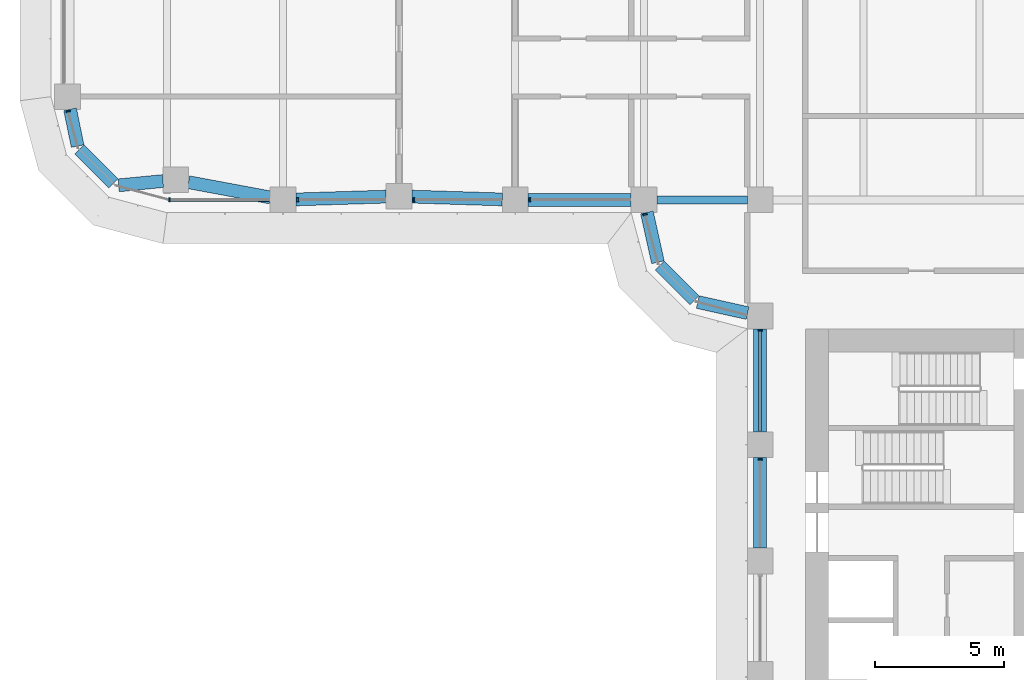
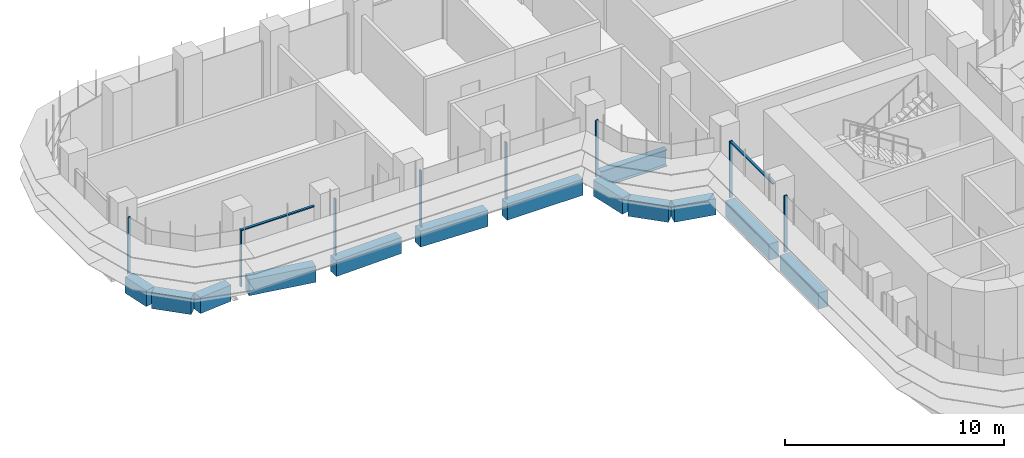
# One storey, part 3 of 23: 13 beams, 10 members, 4 elements without a shape of their own.
"""IFC4 building model written with IfcOpenShell, lengths in metres."""

from ifc_helpers import new_model, si_unit, direction, frame, origin, origin_2d, place, context, subcontext, project, spatial, polyline, rectangle, i_section, outline, extrude, source, transform, mapped, material, material_profile, profile_set, type_object, element, aggregate, save


model = new_model("IFC4")

# Units and contexts
model_context = context("Model", 3, precision=1e-05, world=origin(), true_north=direction((0.0, 1.0)))
body_context = subcontext(model_context, "Body", "Model", "MODEL_VIEW")
ifc_project = project(units=[si_unit("LENGTHUNIT", "METRE"), si_unit("AREAUNIT", "SQUARE_METRE"), si_unit("VOLUMEUNIT", "CUBIC_METRE"), si_unit("PLANEANGLEUNIT", "RADIAN"), si_unit("MASSUNIT", "GRAM", prefix="KILO")], contexts=[model_context])

# Site, building, storey
site_placement = place(None, origin())
site = spatial("IfcSite", under=ifc_project, at=site_placement, CompositionType="ELEMENT")
building_placement = place(site_placement, origin())
building = spatial("IfcBuilding", under=site, at=building_placement, Name="Zarbagh Exchange Tower", CompositionType="ELEMENT")
storey_placement = place(building_placement, frame((0.0, 0.0, 39.60009765625)))
storey = spatial("IfcBuildingStorey", under=building, at=storey_placement, Name="L08", CompositionType="ELEMENT", Elevation=39.60009765625)

# Beams
ifc_material_1 = material(Name="Steel ASTM A992 Gr 50", Category="steel")
ifc_material_profile_1 = material_profile(ifc_material_1, i_section(OverallWidth=0.3046875, OverallDepth=0.91943359375, WebThickness=0.017333984375, FlangeThickness=0.02783203125, at=origin_2d()), Name="W36X170")
ifc_profile_set_1 = profile_set([ifc_material_profile_1], Name="Steel ASTM A992 Gr 50")
beam_type_1 = type_object("IfcBeamType", Name="Floor girder W36X170", PredefinedType="BEAM", material=ifc_profile_set_1)
beam_1_placement = place(storey_placement, frame((-10.25, -6.25, -0.60986328125), z_axis=(1.0, 0.0, 0.0), x_axis=(0.0, 1.0, 0.0)))
element("IfcBeam", 1, at=beam_1_placement, inside=storey, type_object=beam_type_1, Name="Steel girder", PredefinedType="BEAM", context=body_context, shape_type="SweptSolid", body=[
    extrude(i_section(OverallWidth=0.3046875, OverallDepth=0.91943359375, WebThickness=0.017333984375, FlangeThickness=0.02783203125, at=origin_2d()), origin(), (0.0, 0.0, 1.0), 3.5),
])
ifc_material_2 = material(Name="Concrete C60/75", Category="concrete")
ifc_material_profile_2 = material_profile(ifc_material_2, rectangle(XDim=0.5, YDim=0.89990234375, at=origin_2d()), Name="RC spandrel beam 500 x 900 C60/75")
ifc_profile_set_2 = profile_set([ifc_material_profile_2], Name="Concrete C60/75")
beam_type_2 = type_object("IfcBeamType", Name="RC spandrel beam 500 x 900 C60/75", PredefinedType="SPANDREL", material=ifc_profile_set_2)
beam_2_placement = place(storey_placement, frame((-6.25, -19.75, -0.60009765625), z_axis=(0.0, 1.0, 0.0), x_axis=(-1.0, 0.0, 0.0)))
element("IfcBeam", 2, at=beam_2_placement, inside=storey, type_object=beam_type_2, Name="RC spandrel beam", PredefinedType="SPANDREL", context=body_context, shape_type="SweptSolid", body=[
    extrude(rectangle(XDim=0.5, YDim=0.89990234375, at=origin_2d()), origin(), (0.0, 0.0, 1.0), 3.5),
])
beam_3_placement = place(storey_placement, frame((-6.25, -15.25, -0.60009765625), z_axis=(0.0, 1.0, 0.0), x_axis=(-1.0, 0.0, 0.0)))
element("IfcBeam", 3, at=beam_3_placement, inside=storey, type_object=beam_type_2, Name="RC spandrel beam", PredefinedType="SPANDREL", context=body_context, shape_type="SweptSolid", body=[
    extrude(rectangle(XDim=0.5, YDim=0.89990234375, at=origin_2d()), origin(), (0.0, 0.0, 1.0), 4.0),
])
beam_4_placement = place(storey_placement, frame((-6.73828125, -10.64208984375, -0.60009765625), z_axis=(-0.976375426825, 0.216081063242, 0.0), x_axis=(-0.216081063242, -0.976375426825, 0.0)))
element("IfcBeam", 4, at=beam_4_placement, inside=storey, type_object=beam_type_2, Name="RC spandrel beam", PredefinedType="SPANDREL", context=body_context, shape_type="SweptSolid", body=[
    extrude(rectangle(XDim=0.5, YDim=0.89990234375, at=origin_2d()), origin(), (0.0, 0.0, 1.0), 1.978271484375),
])
beam_5_placement = place(storey_placement, frame((-8.792724609375, -10.147216796875, -0.60009765625), z_axis=(-0.707106781187, 0.707106781187, 0.0), x_axis=(-0.707106781187, -0.707106781187, 0.0)))
element("IfcBeam", 5, at=beam_5_placement, inside=storey, type_object=beam_type_2, Name="RC spandrel beam", PredefinedType="SPANDREL", context=body_context, shape_type="SweptSolid", body=[
    extrude(rectangle(XDim=0.5, YDim=0.89990234375, at=origin_2d()), origin(), (0.0, 0.0, 1.0), 1.91552734375),
])
beam_6_placement = place(storey_placement, frame((-10.214599609375, -8.669921875, -0.60009765625), z_axis=(-0.216081063242, 0.976375426825, 0.0), x_axis=(-0.976375426825, -0.216081063242, 0.0)))
element("IfcBeam", 6, at=beam_6_placement, inside=storey, type_object=beam_type_2, Name="RC spandrel beam", PredefinedType="SPANDREL", context=body_context, shape_type="SweptSolid", body=[
    extrude(rectangle(XDim=0.5, YDim=0.89990234375, at=origin_2d()), origin(), (0.0, 0.0, 1.0), 1.978271484375),
])
beam_7_placement = place(storey_placement, frame((-11.25, -6.25, -0.60009765625), z_axis=(-1.0, 0.0, 0.0), x_axis=(0.0, -1.0, 0.0)))
element("IfcBeam", 7, at=beam_7_placement, inside=storey, type_object=beam_type_2, Name="RC spandrel beam", PredefinedType="SPANDREL", context=body_context, shape_type="SweptSolid", body=[
    extrude(rectangle(XDim=0.5, YDim=0.89990234375, at=origin_2d()), origin(), (0.0, 0.0, 1.0), 4.0),
])
for number, where, z_axis, x_axis, name in (
    (8, (-16.249755859375, -6.234619140625, -0.60009765625), (-0.999514385708, 0.031160756759, 0.0), (-0.031160756759, -0.999514385708, 0.0), "RC spandrel beam"),
    (9, (-20.749755859375, -6.12548828125, -0.60009765625), (-0.999514385708, -0.031160756759, 0.0), (0.031160756759, -0.999514385708, 0.0), "RC spandrel beam"),
):
    element("IfcBeam", number, at=place(storey_placement, frame(where, z_axis=z_axis, x_axis=x_axis)), inside=storey, type_object=beam_type_2, Name=name, PredefinedType="SPANDREL", context=body_context, shape_type="SweptSolid", body=[
        extrude(rectangle(XDim=0.5, YDim=0.89990234375, at=origin_2d()), origin(), (0.0, 0.0, 1.0), 3.502197265625),
    ])
beam_8_placement = place(storey_placement, frame((-25.241455078125, -6.158447265625, -0.60009765625), z_axis=(-0.983069300761, 0.183234139565, 0.0), x_axis=(-0.183234139565, -0.983069300761, 0.0)))
element("IfcBeam", 10, at=beam_8_placement, inside=storey, type_object=beam_type_2, Name="RC spandrel beam", PredefinedType="SPANDREL", context=body_context, shape_type="SweptSolid", body=[
    extrude(rectangle(XDim=0.5, YDim=0.89990234375, at=origin_2d()), origin(), (0.0, 0.0, 1.0), 3.229736328125),
])
beam_9_placement = place(storey_placement, frame((-29.40576171875, -5.522705078125, -0.60009765625), z_axis=(-0.995431032456, -0.095483294999, 0.0), x_axis=(0.095483294999, -0.995431032456, 0.0)))
element("IfcBeam", 11, at=beam_9_placement, inside=storey, type_object=beam_type_2, Name="RC spandrel beam", PredefinedType="SPANDREL", context=body_context, shape_type="SweptSolid", body=[
    extrude(rectangle(XDim=0.5, YDim=0.89990234375, at=origin_2d()), origin(), (0.0, 0.0, 1.0), 1.725830078125),
])
beam_10_placement = place(storey_placement, frame((-31.324462890625, -5.615478515625, -0.60009765625), z_axis=(-0.707172099812, 0.707041456527, 0.0), x_axis=(-0.707041456527, -0.707172099812, 0.0)))
element("IfcBeam", 12, at=beam_10_placement, inside=storey, type_object=beam_type_2, Name="RC spandrel beam", PredefinedType="SPANDREL", context=body_context, shape_type="SweptSolid", body=[
    extrude(rectangle(XDim=0.5, YDim=0.89990234375, at=origin_2d()), origin(), (0.0, 0.0, 1.0), 1.86865234375),
])
beam_11_placement = place(storey_placement, frame((-32.714111328125, -4.16796875, -0.60009765625), z_axis=(-0.202068589164, 0.9793713725, 0.0), x_axis=(-0.9793713725, -0.202068589164, 0.0)))
element("IfcBeam", 13, at=beam_11_placement, inside=storey, type_object=beam_type_2, Name="RC spandrel beam", PredefinedType="SPANDREL", context=body_context, shape_type="SweptSolid", body=[
    extrude(rectangle(XDim=0.5, YDim=0.89990234375, at=origin_2d()), origin(), (0.0, 0.0, 1.0), 1.458251953125),
])

# Curtain wall, member
ifc_material_3 = material(Name="Anodised aluminium frame and glazing", Category="aluminium")
curtain_wall_type = type_object("IfcCurtainWallType", Name="CWA Ribbon glazing, lower zones", PredefinedType="NOTDEFINED", material=ifc_material_3)
curtain_wall_1_placement = place(storey_placement, origin())
curtain_wall_1 = element("IfcCurtainWall", 14, at=curtain_wall_1_placement, inside=storey, type_object=curtain_wall_type, Name="CWA37 curtain wall", PredefinedType="NOTDEFINED")
ifc_material_4 = material(Name="Anodised aluminium frame", Category="aluminium")
member_type_1 = type_object("IfcMemberType", Name="MUA Mullion, anodised aluminium frame", PredefinedType="MULLION", material=ifc_material_4)
shared_shape_1 = source(origin(), body_context, "Body", "SweptSolid", [
    extrude(outline(polyline([(0.0, -0.080078125), (0.06005859375, -0.080078125), (0.06005859375, 0.080078125), (0.0, 0.080078125), (0.0, -0.080078125)])), origin(), (0.0, 0.0, 1.0), 3.14990234375),
])
placement = place(storey_placement, origin())
member_1 = element("IfcMember", 15, at=placement, type_object=member_type_1, Name="CWA37 mullion 1.1", PredefinedType="MULLION", context=body_context, shape_type="MappedRepresentation", body=[
    mapped(shared_shape_1, transform((-33.087646484375, -2.7900390625, 0.0), x_axis=(0.258824779902, -0.965924289636, 0.0), y_axis=(0.965924289636, 0.258824779902, 0.0), z_axis=(0.0, 0.0, 1.0))),
])
aggregate(curtain_wall_1, [member_1])

# Curtain wall, members
curtain_wall_2_placement = place(storey_placement, origin())
curtain_wall_2 = element("IfcCurtainWall", 16, at=curtain_wall_2_placement, inside=storey, type_object=curtain_wall_type, Name="CWA40 curtain wall", PredefinedType="NOTDEFINED")
member_2 = element("IfcMember", 17, at=placement, type_object=member_type_1, Name="CWA40 mullion 1.1", PredefinedType="MULLION", context=body_context, shape_type="MappedRepresentation", body=[
    mapped(shared_shape_1, transform((-29.18408203125, -6.25, 0.0), x_axis=(1.0, 0.0, 0.0), y_axis=(0.0, 1.0, 0.0), z_axis=(0.0, 0.0, 1.0))),
])
member_3 = element("IfcMember", 18, at=placement, type_object=member_type_1, Name="CWA40 mullion 2.1", PredefinedType="MULLION", context=body_context, shape_type="MappedRepresentation", body=[
    mapped(shared_shape_1, transform((-24.2099609375, -6.25, 0.0), x_axis=(1.0, 0.0, 0.0), y_axis=(0.0, 1.0, 0.0), z_axis=(0.0, 0.0, 1.0))),
])
member_4 = element("IfcMember", 19, at=placement, type_object=member_type_1, Name="CWA40 mullion 3.1", PredefinedType="MULLION", context=body_context, shape_type="MappedRepresentation", body=[
    mapped(shared_shape_1, transform((-19.7099609375, -6.25, 0.0), x_axis=(1.0, 0.0, 0.0), y_axis=(0.0, 1.0, 0.0), z_axis=(0.0, 0.0, 1.0))),
])
member_5 = element("IfcMember", 20, at=placement, type_object=member_type_1, Name="CWA40 mullion 4.1", PredefinedType="MULLION", context=body_context, shape_type="MappedRepresentation", body=[
    mapped(shared_shape_1, transform((-15.2099609375, -6.25, 0.0), x_axis=(1.0, 0.0, 0.0), y_axis=(0.0, 1.0, 0.0), z_axis=(0.0, 0.0, 1.0))),
])

# Curtain wall, member
curtain_wall_3_placement = place(storey_placement, origin())
curtain_wall_3 = element("IfcCurtainWall", 21, at=curtain_wall_3_placement, inside=storey, type_object=curtain_wall_type, Name="CWA41 curtain wall", PredefinedType="NOTDEFINED")
member_6 = element("IfcMember", 22, at=placement, type_object=member_type_1, Name="CWA41 mullion 1.1", PredefinedType="MULLION", context=body_context, shape_type="MappedRepresentation", body=[
    mapped(shared_shape_1, transform((-10.7216796875, -6.7900390625, 0.0), x_axis=(0.258824779902, -0.965924289636, 0.0), y_axis=(0.965924289636, 0.258824779902, 0.0), z_axis=(0.0, 0.0, 1.0))),
])
aggregate(curtain_wall_3, [member_6])

# Curtain wall, members
curtain_wall_4_placement = place(storey_placement, origin())
curtain_wall_4 = element("IfcCurtainWall", 23, at=curtain_wall_4_placement, inside=storey, type_object=curtain_wall_type, Name="CWA44 curtain wall", PredefinedType="NOTDEFINED")
member_7 = element("IfcMember", 24, at=placement, type_object=member_type_1, Name="CWA44 mullion 1.1", PredefinedType="MULLION", context=body_context, shape_type="MappedRepresentation", body=[
    mapped(shared_shape_1, transform((-6.25, -11.2900390625, 0.0), x_axis=(0.0, -1.0, 0.0), y_axis=(1.0, 0.0, 0.0), z_axis=(0.0, 0.0, 1.0))),
])
member_8 = element("IfcMember", 25, at=placement, type_object=member_type_1, Name="CWA44 mullion 2.1", PredefinedType="MULLION", context=body_context, shape_type="MappedRepresentation", body=[
    mapped(shared_shape_1, transform((-6.25, -16.2900390625, 0.0), x_axis=(0.0, -1.0, 0.0), y_axis=(1.0, 0.0, 0.0), z_axis=(0.0, 0.0, 1.0))),
])
member_type_2 = type_object("IfcMemberType", Name="TRA Transom, anodised aluminium frame", PredefinedType="USERDEFINED", material=ifc_material_4)
shared_shape_2 = source(origin(), body_context, "Body", "SweptSolid", [
    extrude(outline(polyline([(-0.06005859375, -0.06005859375), (0.0, -0.06005859375), (0.0, 0.06005859375), (-0.06005859375, 0.06005859375), (-0.06005859375, -0.06005859375)])), origin(), (0.0, 0.0, 1.0), 3.860107421875),
])
member_9 = element("IfcMember", 26, at=placement, type_object=member_type_2, Name="CWA44 transom 1.1", ObjectType="TRANSOM", PredefinedType="USERDEFINED", context=body_context, shape_type="MappedRepresentation", body=[
    mapped(shared_shape_2, transform((-6.25, -11.35009765625, 3.14990234375), x_axis=(0.0, 0.0, 1.0), y_axis=(-1.0, 0.0, 0.0), z_axis=(0.0, -1.0, 0.0))),
])
aggregate(curtain_wall_4, [member_7, member_9, member_8])

# Member
shared_shape_3 = source(origin(), body_context, "Body", "SweptSolid", [
    extrude(outline(polyline([(-0.06005859375, -0.06005859375), (0.0, -0.06005859375), (0.0, 0.06005859375), (-0.06005859375, 0.06005859375), (-0.06005859375, -0.06005859375)])), origin(), (0.0, 0.0, 1.0), 3.834228515625),
])
member_10 = element("IfcMember", 27, at=placement, type_object=member_type_2, Name="CWA40 transom 1.1", ObjectType="TRANSOM", PredefinedType="USERDEFINED", context=body_context, shape_type="MappedRepresentation", body=[
    mapped(shared_shape_3, transform((-29.124267578125, -6.25, 3.14990234375), x_axis=(0.0, 0.0, 1.0), y_axis=(0.0, -1.0, 0.0), z_axis=(1.0, 0.0, 0.0))),
])

aggregate(curtain_wall_2, [member_2, member_10, member_3, member_4, member_5])

save(model, "model.ifc")
